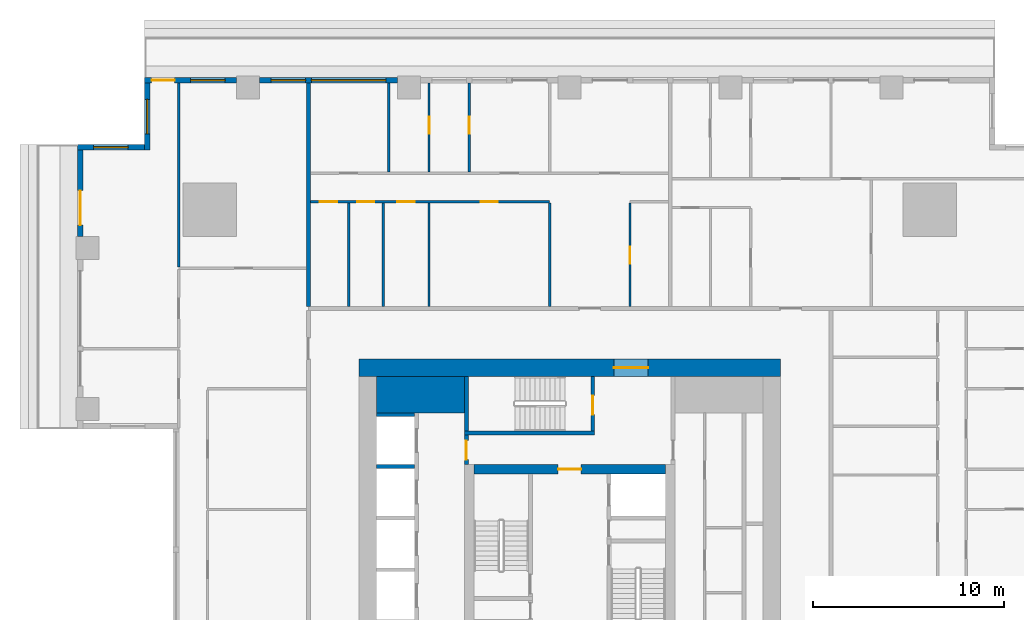
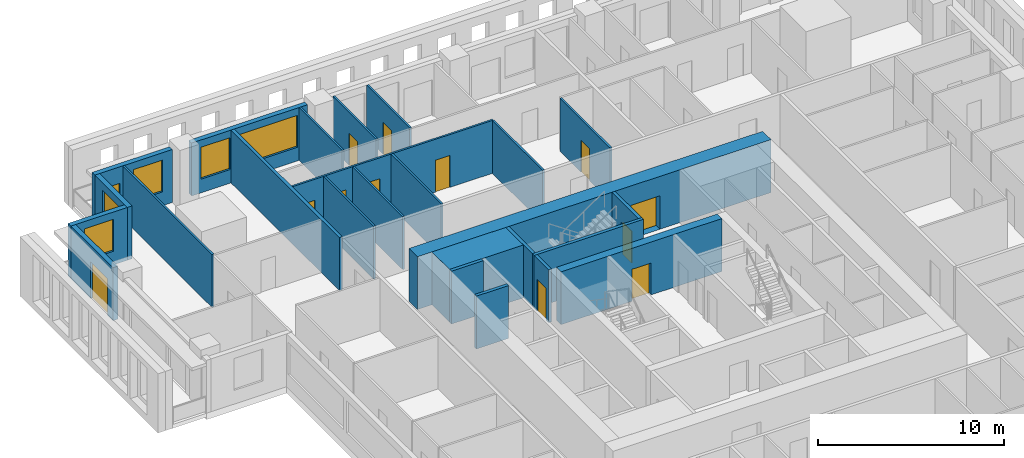
# One storey, part 7 of 15: 25 walls, 13 doors, 5 windows, 18 openings.
"""IFC4 building model written with IfcOpenShell, lengths in metres."""

from ifc_helpers import new_model, si_unit, direction, frame, frame_2d, origin, place, context, subcontext, project, spatial, rectangle, extrude, material, layer, layer_set, type_object, element, fill, save


model = new_model("IFC4")

# Units and contexts
model_context = context("Model", 3, precision=1e-05, world=origin(), true_north=direction((0.0, 1.0)))
body_context = subcontext(model_context, "Body", "Model", "MODEL_VIEW")
ifc_project = project(units=[si_unit("LENGTHUNIT", "METRE"), si_unit("AREAUNIT", "SQUARE_METRE"), si_unit("VOLUMEUNIT", "CUBIC_METRE"), si_unit("PLANEANGLEUNIT", "RADIAN"), si_unit("MASSUNIT", "GRAM", prefix="KILO")], contexts=[model_context])

# Site, building, storey
site_placement = place(None, origin())
site = spatial("IfcSite", under=ifc_project, at=site_placement, CompositionType="ELEMENT")
building_placement = place(site_placement, origin())
building = spatial("IfcBuilding", under=site, at=building_placement, Name="Khepri Terraces", CompositionType="ELEMENT")
storey_placement = place(building_placement, frame((0.0, 0.0, 98.699951171875)))
storey = spatial("IfcBuildingStorey", under=building, at=storey_placement, Name="L23", CompositionType="ELEMENT", Elevation=98.699951171875)

# Walls
ifc_material_1 = material(Name="Concrete C70/85", Category="concrete")
ifc_layer_1 = layer(ifc_material_1, 1.89990234375, Name="Concrete C70/85", Category="concrete")
ifc_layer_set_1 = layer_set([ifc_layer_1], Name="Concrete C70/85")
wall_type_1 = type_object("IfcWallType", Name="Core wall 1900 C70/85", PredefinedType="SHEAR", material=ifc_layer_set_1)
wall_1_placement = place(storey_placement, frame((-10.10009765625, 9.14990234375, 0.0), z_axis=(0.0, 0.0, 1.0), x_axis=(1.0, 0.0, 0.0)))
element("IfcWall", 1, at=wall_1_placement, inside=storey, type_object=wall_type_1, Name="Core wall PR03 L23", PredefinedType="SHEAR", context=body_context, shape_type="SweptSolid", body=[
    extrude(rectangle(XDim=4.60009765625, YDim=1.89990234375, at=frame_2d((2.300048828125, 0.0))), origin(), (0.0, 0.0, 1.0), 3.47998046875),
])
ifc_layer_2 = layer(ifc_material_1, 0.199951171875, Name="Concrete C70/85", Category="concrete")
ifc_layer_set_2 = layer_set([ifc_layer_2], Name="Concrete C70/85")
wall_type_2 = type_object("IfcWallType", Name="Core wall 200 C70/85", PredefinedType="SHEAR", material=ifc_layer_set_2)
wall_2_placement = place(storey_placement, frame((-5.5, 7.14990234375, 0.0), z_axis=(0.0, 0.0, 1.0), x_axis=(1.0, 0.0, 0.0)))
element("IfcWall", 2, at=wall_2_placement, inside=storey, type_object=wall_type_2, Name="Core wall ST05 L23", PredefinedType="SHEAR", context=body_context, shape_type="SweptSolid", body=[
    extrude(rectangle(XDim=6.800048828125, YDim=0.199951171875, at=frame_2d((3.39990234375, 0.0))), origin(), (0.0, 0.0, 1.0), 3.47998046875),
])
wall_3_placement = place(storey_placement, frame((-5.39990234375, 7.25, 0.0), z_axis=(0.0, 0.0, 1.0), x_axis=(0.0, 1.0, 0.0)))
element("IfcWall", 3, at=wall_3_placement, inside=storey, type_object=wall_type_2, Name="Core wall ST06 L23", PredefinedType="SHEAR", context=body_context, shape_type="SweptSolid", body=[
    extrude(rectangle(XDim=2.85009765625, YDim=0.199951171875, at=frame_2d((1.425048828125, 0.0))), origin(), (0.0, 0.0, 1.0), 3.47998046875),
])

# Wall, opening, door
wall_4_placement = place(storey_placement, frame((1.199951171875, 7.25, 0.0), z_axis=(0.0, 0.0, 1.0), x_axis=(0.0, 1.0, 0.0)))
wall_4 = element("IfcWall", 4, at=wall_4_placement, inside=storey, type_object=wall_type_2, Name="Core wall ST07 L23", PredefinedType="SHEAR", context=body_context, shape_type="SweptSolid", body=[
    extrude(rectangle(XDim=2.85009765625, YDim=0.199951171875, at=frame_2d((1.425048828125, 0.0))), origin(), (0.0, 0.0, 1.0), 3.47998046875),
])
opening_1_placement = place(wall_4_placement, frame((0.85009765625, 0.0, 0.0)))
opening_1 = element("IfcOpeningElement", 5, at=opening_1_placement, cuts=wall_4, Name="Opening L23-C15", PredefinedType="OPENING", context=body_context, shape_type="SweptSolid", body=[
    extrude(rectangle(XDim=1.0, YDim=2.10009765625, at=frame_2d((0.5, 1.050048828125))), frame((0.0, 0.10986328125, 0.0), z_axis=(0.0, -1.0, 0.0), x_axis=(1.0, 0.0, 0.0)), (0.0, 0.0, 1.0), 0.219970703125),
])
ifc_material_2 = material(Name="Painted steel", Category="steel")
door_type_1 = type_object("IfcDoorType", Name="DR-CORE-STAIR-1000", OperationType="NOTDEFINED", PredefinedType="DOOR", material=ifc_material_2)
door_1_placement = place(opening_1_placement, origin())
door_1 = element("IfcDoor", 6, at=door_1_placement, inside=storey, type_object=door_type_1, Name="Stair door L23-C15", OperationType="SINGLE_SWING_LEFT", OverallHeight=2.10009765625, OverallWidth=1.0, PredefinedType="DOOR", context=body_context, shape_type="SweptSolid", body=[
    extrude(rectangle(XDim=1.0, YDim=2.10009765625, at=frame_2d((0.5, 1.050048828125))), frame((0.0, 0.02490234375, 0.0), z_axis=(0.0, -1.0, 0.0), x_axis=(1.0, 0.0, 0.0)), (0.0, 0.0, 1.0), 0.050048828125),
])
fill(opening_1, door_1)

# Walls
for number, where, z_axis, x_axis, name in (
    (7, (-10.10009765625, 5.39990234375, 0.0), (0.0, 0.0, 1.0), (1.0, 0.0, 0.0), "Core wall SH19 L23"),
    (8, (-10.10009765625, 8.10009765625, 0.0), (0.0, 0.0, 1.0), (1.0, 0.0, 0.0), "Core wall SH20 L23"),
):
    element("IfcWall", number, at=place(storey_placement, frame(where, z_axis=z_axis, x_axis=x_axis)), inside=storey, type_object=wall_type_2, Name=name, PredefinedType="SHEAR", context=body_context, shape_type="SweptSolid", body=[
        extrude(rectangle(XDim=2.0, YDim=0.199951171875, at=frame_2d((1.0, 0.0))), origin(), (0.0, 0.0, 1.0), 3.47998046875),
    ])

# Wall, opening, door
ifc_layer_3 = layer(ifc_material_1, 0.5, Name="Concrete C70/85", Category="concrete")
ifc_layer_set_3 = layer_set([ifc_layer_3], Name="Concrete C70/85")
wall_type_3 = type_object("IfcWallType", Name="Core wall 500 C70/85", PredefinedType="SHEAR", material=ifc_layer_set_3)
wall_5_placement = place(storey_placement, frame((-5.0, 5.25, 0.0), z_axis=(0.0, 0.0, 1.0), x_axis=(1.0, 0.0, 0.0)))
wall_5 = element("IfcWall", 9, at=wall_5_placement, inside=storey, type_object=wall_type_3, Name="Core wall BX04 L23", PredefinedType="SHEAR", context=body_context, shape_type="SweptSolid", body=[
    extrude(rectangle(XDim=10.0, YDim=0.5, at=frame_2d((5.0, 0.0))), origin(), (0.0, 0.0, 1.0), 3.47998046875),
])
opening_2_placement = place(wall_5_placement, frame((4.39990234375, 0.0, 0.0)))
opening_2 = element("IfcOpeningElement", 10, at=opening_2_placement, cuts=wall_5, Name="Opening L23-C13", PredefinedType="OPENING", context=body_context, shape_type="SweptSolid", body=[
    extrude(rectangle(XDim=1.199951171875, YDim=2.10009765625, at=frame_2d((0.60009765625, 1.050048828125))), frame((0.0, 0.260009765625, 0.0), z_axis=(0.0, -1.0, 0.0), x_axis=(1.0, 0.0, 0.0)), (0.0, 0.0, 1.0), 0.52001953125),
])
door_type_2 = type_object("IfcDoorType", Name="DR-CORE-FF-LOBBY-1200", OperationType="NOTDEFINED", PredefinedType="DOOR", material=ifc_material_2)
door_2_placement = place(opening_2_placement, frame((1.199951171875, 0.0, 0.0), z_axis=(0.0, 0.0, 1.0), x_axis=(-1.0, 0.0, 0.0)))
door_2 = element("IfcDoor", 11, at=door_2_placement, inside=storey, type_object=door_type_2, Name="Firefighting lobby door L23-C13", OperationType="SINGLE_SWING_LEFT", OverallHeight=2.10009765625, OverallWidth=1.199951171875, PredefinedType="DOOR", context=body_context, shape_type="SweptSolid", body=[
    extrude(rectangle(XDim=1.199951171875, YDim=2.10009765625, at=frame_2d((0.60009765625, 1.050048828125))), frame((0.0, 0.02490234375, 0.0), z_axis=(0.0, -1.0, 0.0), x_axis=(1.0, 0.0, 0.0)), (0.0, 0.0, 1.0), 0.050048828125),
])
fill(opening_2, door_2)

ifc_layer_4 = layer(ifc_material_1, 0.89990234375, Name="Concrete C70/85", Category="concrete")
ifc_layer_set_4 = layer_set([ifc_layer_4], Name="Concrete C70/85")
wall_type_4 = type_object("IfcWallType", Name="Core wall 900 C70/85", PredefinedType="SHEAR", material=ifc_layer_set_4)
wall_6_placement = place(storey_placement, frame((-11.0, 10.550048828125, 0.0), z_axis=(0.0, 0.0, 1.0), x_axis=(1.0, 0.0, 0.0)))
wall_6 = element("IfcWall", 12, at=wall_6_placement, inside=storey, type_object=wall_type_4, Name="Core wall OW-N L23", PredefinedType="SHEAR", context=body_context, shape_type="SweptSolid", body=[
    extrude(rectangle(XDim=22.0, YDim=0.89990234375, at=frame_2d((11.0, 0.0))), origin(), (0.0, 0.0, 1.0), 3.47998046875),
])
opening_3_placement = place(wall_6_placement, frame((13.300048828125, 0.0, 0.0)))
opening_3 = element("IfcOpeningElement", 13, at=opening_3_placement, cuts=wall_6, Name="Opening L23-C20", PredefinedType="OPENING", context=body_context, shape_type="SweptSolid", body=[
    extrude(rectangle(XDim=1.800048828125, YDim=2.199951171875, at=frame_2d((0.89990234375, 1.10009765625))), frame((0.0, 0.4599609375, 0.0), z_axis=(0.0, -1.0, 0.0), x_axis=(1.0, 0.0, 0.0)), (0.0, 0.0, 1.0), 0.919921875),
])
door_type_3 = type_object("IfcDoorType", Name="DR-CORE-ENTRANCE-1800", OperationType="NOTDEFINED", PredefinedType="DOOR", material=ifc_material_2)
door_3_placement = place(opening_3_placement, origin())
door_3 = element("IfcDoor", 14, at=door_3_placement, inside=storey, type_object=door_type_3, Name="Core entrance door pair L23-C20", OperationType="DOUBLE_DOOR_SINGLE_SWING", OverallHeight=2.199951171875, OverallWidth=1.800048828125, PredefinedType="DOOR", context=body_context, shape_type="SweptSolid", body=[
    extrude(rectangle(XDim=1.800048828125, YDim=2.199951171875, at=frame_2d((0.89990234375, 1.10009765625))), frame((0.0, 0.02490234375, 0.0), z_axis=(0.0, -1.0, 0.0), x_axis=(1.0, 0.0, 0.0)), (0.0, 0.0, 1.0), 0.050048828125),
])
fill(opening_3, door_3)

ifc_material_3 = material(Name="Fire-rated gypsum board partition")
ifc_layer_5 = layer(ifc_material_3, 0.199951171875, Name="Fire-rated gypsum board partition")
ifc_layer_set_5 = layer_set([ifc_layer_5], Name="Fire-rated gypsum board partition")
wall_type_5 = type_object("IfcWallType", Name="WL-CORE-PART-200", PredefinedType="PARTITIONING", material=ifc_layer_set_5)
wall_7_placement = place(storey_placement, frame((-5.39990234375, 5.5, 0.0), z_axis=(0.0, 0.0, 1.0), x_axis=(0.0, 1.0, 0.0)))
wall_7 = element("IfcWall", 15, at=wall_7_placement, inside=storey, type_object=wall_type_5, Name="Core partition PT07 L23", PredefinedType="PARTITIONING", context=body_context, shape_type="SweptSolid", body=[
    extrude(rectangle(XDim=1.550048828125, YDim=0.199951171875, at=frame_2d((0.77490234375, 0.0))), origin(), (0.0, 0.0, 1.0), 3.47998046875),
])
opening_4_placement = place(wall_7_placement, frame((0.25, 0.0, 0.0)))
opening_4 = element("IfcOpeningElement", 16, at=opening_4_placement, cuts=wall_7, Name="Opening L23-C16", PredefinedType="OPENING", context=body_context, shape_type="SweptSolid", body=[
    extrude(rectangle(XDim=1.0, YDim=2.10009765625, at=frame_2d((0.5, 1.050048828125))), frame((0.0, 0.10986328125, 0.0), z_axis=(0.0, -1.0, 0.0), x_axis=(1.0, 0.0, 0.0)), (0.0, 0.0, 1.0), 0.219970703125),
])
door_type_4 = type_object("IfcDoorType", Name="DR-CORE-LOBBY-1000", OperationType="NOTDEFINED", PredefinedType="DOOR", material=ifc_material_2)
door_4_placement = place(opening_4_placement, frame((1.0, 0.0, 0.0), z_axis=(0.0, 0.0, 1.0), x_axis=(-1.0, 0.0, 0.0)))
door_4 = element("IfcDoor", 17, at=door_4_placement, inside=storey, type_object=door_type_4, Name="Lobby door L23-C16", OperationType="SINGLE_SWING_RIGHT", OverallHeight=2.10009765625, OverallWidth=1.0, PredefinedType="DOOR", context=body_context, shape_type="SweptSolid", body=[
    extrude(rectangle(XDim=1.0, YDim=2.10009765625, at=frame_2d((0.5, 1.050048828125))), frame((0.0, 0.02490234375, 0.0), z_axis=(0.0, -1.0, 0.0), x_axis=(1.0, 0.0, 0.0)), (0.0, 0.0, 1.0), 0.050048828125),
])
fill(opening_4, door_4)

# Wall
ifc_material_4 = material(Name="Fire-rated gypsum plasterboard partition, mineral wool")
ifc_layer_6 = layer(ifc_material_4, 0.199951171875, Name="Fire-rated gypsum plasterboard partition, mineral wool")
ifc_layer_set_6 = layer_set([ifc_layer_6], Name="Fire-rated gypsum plasterboard partition, mineral wool")
wall_type_6 = type_object("IfcWallType", Name="WL-CORR-200", PredefinedType="PARTITIONING", material=ifc_layer_set_6)
wall_8_placement = place(storey_placement, frame((-13.64990234375, 13.75, 0.0), z_axis=(0.0, 0.0, 1.0), x_axis=(0.0, 1.0, 0.0)))
element("IfcWall", 18, at=wall_8_placement, inside=storey, type_object=wall_type_6, Name="Partition P-082 L23", PredefinedType="PARTITIONING", context=body_context, shape_type="SweptSolid", body=[
    extrude(rectangle(XDim=11.669921875, YDim=0.199951171875, at=frame_2d((5.8349609375, 0.0))), origin(), (0.0, 0.0, 1.0), 3.47998046875),
])

# Wall, openings, windows
ifc_material_5 = material(Name="Precast concrete C50/60 warm stone", Category="masonry")
ifc_layer_7 = layer(ifc_material_5, 0.300048828125, Name="Precast concrete C50/60 warm stone", Category="masonry")
ifc_layer_set_7 = layer_set([ifc_layer_7], Name="Precast concrete C50/60 warm stone")
wall_type_7 = type_object("IfcWallType", Name="WL-EXT-PRECAST-300", PredefinedType="STANDARD", material=ifc_layer_set_7)
wall_9_placement = place(storey_placement, frame((-9.0, 25.570068359375, 0.0), z_axis=(0.0, 0.0, 1.0), x_axis=(-1.0, 0.0, 0.0)))
wall_9 = element("IfcWall", 19, at=wall_9_placement, inside=storey, type_object=wall_type_7, Name="External wall L23 N", PredefinedType="STANDARD", context=body_context, shape_type="SweptSolid", body=[
    extrude(rectangle(XDim=7.199951171875, YDim=0.300048828125, at=frame_2d((3.60009765625, 0.0))), origin(), (0.0, 0.0, 1.0), 3.47998046875),
])
opening_5_placement = place(wall_9_placement, frame((0.60009765625, 0.0, 0.89990234375)))
opening_5 = element("IfcOpeningElement", 20, at=opening_5_placement, cuts=wall_9, Name="Opening W2", PredefinedType="OPENING", context=body_context, shape_type="SweptSolid", body=[
    extrude(rectangle(XDim=3.89990234375, YDim=2.10009765625, at=frame_2d((1.949951171875, 1.050048828125))), frame((0.0, 0.16015625, 0.0), z_axis=(0.0, -1.0, 0.0), x_axis=(1.0, 0.0, 0.0)), (0.0, 0.0, 1.0), 0.320068359375),
])
opening_6_placement = place(wall_9_placement, frame((4.800048828125, 0.0, 0.89990234375)))
opening_6 = element("IfcOpeningElement", 21, at=opening_6_placement, cuts=wall_9, Name="Opening W1", PredefinedType="OPENING", context=body_context, shape_type="SweptSolid", body=[
    extrude(rectangle(XDim=1.800048828125, YDim=2.10009765625, at=frame_2d((0.89990234375, 1.050048828125))), frame((0.0, 0.16015625, 0.0), z_axis=(0.0, -1.0, 0.0), x_axis=(1.0, 0.0, 0.0)), (0.0, 0.0, 1.0), 0.320068359375),
])
ifc_material_6 = material(Name="Clear glass", Category="glass")
window_type_1 = type_object("IfcWindowType", Name="WIN-RES-1800x2100", PartitioningType="SINGLE_PANEL", PredefinedType="WINDOW", material=ifc_material_6)
window_1_placement = place(opening_6_placement, origin())
window_1 = element("IfcWindow", 22, at=window_1_placement, inside=storey, type_object=window_type_1, Name="Window L23 N", OverallHeight=2.10009765625, OverallWidth=1.800048828125, PartitioningType="SINGLE_PANEL", PredefinedType="WINDOW", context=body_context, shape_type="SweptSolid", body=[
    extrude(rectangle(XDim=1.800048828125, YDim=2.10009765625, at=frame_2d((0.89990234375, 1.050048828125))), frame((0.0, 0.030029296875, 0.0), z_axis=(0.0, -1.0, 0.0), x_axis=(1.0, 0.0, 0.0)), (0.0, 0.0, 1.0), 0.06005859375),
])
fill(opening_6, window_1)
window_type_2 = type_object("IfcWindowType", Name="WIN-RES-3900x2100", PartitioningType="SINGLE_PANEL", PredefinedType="WINDOW", material=ifc_material_6)
window_2_placement = place(opening_5_placement, origin())
window_2 = element("IfcWindow", 23, at=window_2_placement, inside=storey, type_object=window_type_2, Name="Window L23 N", OverallHeight=2.10009765625, OverallWidth=3.89990234375, PartitioningType="SINGLE_PANEL", PredefinedType="WINDOW", context=body_context, shape_type="SweptSolid", body=[
    extrude(rectangle(XDim=3.89990234375, YDim=2.10009765625, at=frame_2d((1.949951171875, 1.050048828125))), frame((0.0, 0.030029296875, 0.0), z_axis=(0.0, -1.0, 0.0), x_axis=(1.0, 0.0, 0.0)), (0.0, 0.0, 1.0), 0.06005859375),
])
fill(opening_5, window_2)

# Wall, openings, door, window
wall_10_placement = place(storey_placement, frame((-17.39990234375, 25.570068359375, 0.0), z_axis=(0.0, 0.0, 1.0), x_axis=(-1.0, 0.0, 0.0)))
wall_10 = element("IfcWall", 24, at=wall_10_placement, inside=storey, type_object=wall_type_7, Name="External wall L23 N", PredefinedType="STANDARD", context=body_context, shape_type="SweptSolid", body=[
    extrude(rectangle(XDim=4.820068359375, YDim=0.300048828125, at=frame_2d((2.41015625, 0.0))), origin(), (0.0, 0.0, 1.0), 3.47998046875),
])
opening_7_placement = place(wall_10_placement, frame((0.60009765625, 0.0, 0.89990234375)))
opening_7 = element("IfcOpeningElement", 25, at=opening_7_placement, cuts=wall_10, Name="Opening W1", PredefinedType="OPENING", context=body_context, shape_type="SweptSolid", body=[
    extrude(rectangle(XDim=1.800048828125, YDim=2.10009765625, at=frame_2d((0.89990234375, 1.050048828125))), frame((0.0, 0.16015625, 0.0), z_axis=(0.0, -1.0, 0.0), x_axis=(1.0, 0.0, 0.0)), (0.0, 0.0, 1.0), 0.320068359375),
])
opening_8_placement = place(wall_10_placement, frame((3.2451171875, 0.0, 0.0)))
opening_8 = element("IfcOpeningElement", 26, at=opening_8_placement, cuts=wall_10, Name="Opening ED-L23-12", PredefinedType="OPENING", context=body_context, shape_type="SweptSolid", body=[
    extrude(rectangle(XDim=1.199951171875, YDim=2.39990234375, at=frame_2d((0.60009765625, 1.199951171875))), frame((0.0, 0.16015625, 0.0), z_axis=(0.0, -1.0, 0.0), x_axis=(1.0, 0.0, 0.0)), (0.0, 0.0, 1.0), 0.320068359375),
])
ifc_material_7 = material(Name="Anodised aluminium bronze glazed door", Category="aluminium")
door_type_5 = type_object("IfcDoorType", Name="DR-BAL-SLIDE-1200x2400", OperationType="NOTDEFINED", PredefinedType="DOOR", material=ifc_material_7)
door_5_placement = place(opening_8_placement, origin())
door_5 = element("IfcDoor", 27, at=door_5_placement, inside=storey, type_object=door_type_5, Name="Balcony door L23 N", OperationType="SLIDING_TO_RIGHT", OverallHeight=2.39990234375, OverallWidth=1.199951171875, PredefinedType="DOOR", context=body_context, shape_type="SweptSolid", body=[
    extrude(rectangle(XDim=1.199951171875, YDim=2.39990234375, at=frame_2d((0.60009765625, 1.199951171875))), frame((0.0, 0.02490234375, 0.0), z_axis=(0.0, -1.0, 0.0), x_axis=(1.0, 0.0, 0.0)), (0.0, 0.0, 1.0), 0.050048828125),
])
fill(opening_8, door_5)
window_3_placement = place(opening_7_placement, origin())
window_3 = element("IfcWindow", 28, at=window_3_placement, inside=storey, type_object=window_type_1, Name="Window L23 N", OverallHeight=2.10009765625, OverallWidth=1.800048828125, PartitioningType="SINGLE_PANEL", PredefinedType="WINDOW", context=body_context, shape_type="SweptSolid", body=[
    extrude(rectangle(XDim=1.800048828125, YDim=2.10009765625, at=frame_2d((0.89990234375, 1.050048828125))), frame((0.0, 0.030029296875, 0.0), z_axis=(0.0, -1.0, 0.0), x_axis=(1.0, 0.0, 0.0)), (0.0, 0.0, 1.0), 0.06005859375),
])
fill(opening_7, window_3)

# Wall, opening, window
wall_11_placement = place(storey_placement, frame((-22.070068359375, 25.419921875, 0.0), z_axis=(0.0, 0.0, 1.0), x_axis=(0.0, -1.0, 0.0)))
wall_11 = element("IfcWall", 29, at=wall_11_placement, inside=storey, type_object=wall_type_7, Name="External wall L23 W", PredefinedType="STANDARD", context=body_context, shape_type="SweptSolid", body=[
    extrude(rectangle(XDim=3.5, YDim=0.300048828125, at=frame_2d((1.75, 0.0))), origin(), (0.0, 0.0, 1.0), 3.47998046875),
])
opening_9_placement = place(wall_11_placement, frame((0.85009765625, 0.0, 0.89990234375)))
opening_9 = element("IfcOpeningElement", 30, at=opening_9_placement, cuts=wall_11, Name="Opening W1", PredefinedType="OPENING", context=body_context, shape_type="SweptSolid", body=[
    extrude(rectangle(XDim=1.800048828125, YDim=2.10009765625, at=frame_2d((0.89990234375, 1.050048828125))), frame((0.0, 0.16015625, 0.0), z_axis=(0.0, -1.0, 0.0), x_axis=(1.0, 0.0, 0.0)), (0.0, 0.0, 1.0), 0.320068359375),
])
window_4_placement = place(opening_9_placement, origin())
window_4 = element("IfcWindow", 31, at=window_4_placement, inside=storey, type_object=window_type_1, Name="Window L23 W", OverallHeight=2.10009765625, OverallWidth=1.800048828125, PartitioningType="SINGLE_PANEL", PredefinedType="WINDOW", context=body_context, shape_type="SweptSolid", body=[
    extrude(rectangle(XDim=1.800048828125, YDim=2.10009765625, at=frame_2d((0.89990234375, 1.050048828125))), frame((0.0, 0.030029296875, 0.0), z_axis=(0.0, -1.0, 0.0), x_axis=(1.0, 0.0, 0.0)), (0.0, 0.0, 1.0), 0.06005859375),
])
fill(opening_9, window_4)

wall_12_placement = place(storey_placement, frame((-22.219970703125, 22.070068359375, 0.0), z_axis=(0.0, 0.0, 1.0), x_axis=(-1.0, 0.0, 0.0)))
wall_12 = element("IfcWall", 32, at=wall_12_placement, inside=storey, type_object=wall_type_7, Name="External wall L23 N", PredefinedType="STANDARD", context=body_context, shape_type="SweptSolid", body=[
    extrude(rectangle(XDim=3.5, YDim=0.300048828125, at=frame_2d((1.75, 0.0))), origin(), (0.0, 0.0, 1.0), 3.47998046875),
])
opening_10_placement = place(wall_12_placement, frame((0.85009765625, 0.0, 0.89990234375)))
opening_10 = element("IfcOpeningElement", 33, at=opening_10_placement, cuts=wall_12, Name="Opening W1", PredefinedType="OPENING", context=body_context, shape_type="SweptSolid", body=[
    extrude(rectangle(XDim=1.800048828125, YDim=2.10009765625, at=frame_2d((0.89990234375, 1.050048828125))), frame((0.0, 0.16015625, 0.0), z_axis=(0.0, -1.0, 0.0), x_axis=(1.0, 0.0, 0.0)), (0.0, 0.0, 1.0), 0.320068359375),
])
window_5_placement = place(opening_10_placement, origin())
window_5 = element("IfcWindow", 34, at=window_5_placement, inside=storey, type_object=window_type_1, Name="Window L23 N", OverallHeight=2.10009765625, OverallWidth=1.800048828125, PartitioningType="SINGLE_PANEL", PredefinedType="WINDOW", context=body_context, shape_type="SweptSolid", body=[
    extrude(rectangle(XDim=1.800048828125, YDim=2.10009765625, at=frame_2d((0.89990234375, 1.050048828125))), frame((0.0, 0.030029296875, 0.0), z_axis=(0.0, -1.0, 0.0), x_axis=(1.0, 0.0, 0.0)), (0.0, 0.0, 1.0), 0.06005859375),
])
fill(opening_10, window_5)

# Wall, opening, door
wall_13_placement = place(storey_placement, frame((-25.570068359375, 21.919921875, 0.0), z_axis=(0.0, 0.0, 1.0), x_axis=(0.0, -1.0, 0.0)))
wall_13 = element("IfcWall", 35, at=wall_13_placement, inside=storey, type_object=wall_type_7, Name="External wall L23 W", PredefinedType="STANDARD", context=body_context, shape_type="SweptSolid", body=[
    extrude(rectangle(XDim=4.52001953125, YDim=0.300048828125, at=frame_2d((2.260009765625, 0.0))), origin(), (0.0, 0.0, 1.0), 3.47998046875),
])
opening_11_placement = place(wall_13_placement, frame((2.1201171875, 0.0, 0.0)))
opening_11 = element("IfcOpeningElement", 36, at=opening_11_placement, cuts=wall_13, Name="Opening ED-L23-13", PredefinedType="OPENING", context=body_context, shape_type="SweptSolid", body=[
    extrude(rectangle(XDim=1.800048828125, YDim=2.39990234375, at=frame_2d((0.89990234375, 1.199951171875))), frame((0.0, 0.16015625, 0.0), z_axis=(0.0, -1.0, 0.0), x_axis=(1.0, 0.0, 0.0)), (0.0, 0.0, 1.0), 0.320068359375),
])
door_type_6 = type_object("IfcDoorType", Name="DR-BAL-SLIDE-1800x2400", OperationType="NOTDEFINED", PredefinedType="DOOR", material=ifc_material_7)
door_6_placement = place(opening_11_placement, origin())
door_6 = element("IfcDoor", 37, at=door_6_placement, inside=storey, type_object=door_type_6, Name="Balcony door L23 W", OperationType="SLIDING_TO_RIGHT", OverallHeight=2.39990234375, OverallWidth=1.800048828125, PredefinedType="DOOR", context=body_context, shape_type="SweptSolid", body=[
    extrude(rectangle(XDim=1.800048828125, YDim=2.39990234375, at=frame_2d((0.89990234375, 1.199951171875))), frame((0.0, 0.02490234375, 0.0), z_axis=(0.0, -1.0, 0.0), x_axis=(1.0, 0.0, 0.0)), (0.0, 0.0, 1.0), 0.050048828125),
])
fill(opening_11, door_6)

# Walls
ifc_material_8 = material(Name="Gypsum plasterboard partition")
ifc_layer_8 = layer(ifc_material_8, 0.1201171875, Name="Gypsum plasterboard partition")
ifc_layer_set_8 = layer_set([ifc_layer_8], Name="Gypsum plasterboard partition")
wall_type_8 = type_object("IfcWallType", Name="WL-PART-120", PredefinedType="PARTITIONING", material=ifc_layer_set_8)
for number, where, z_axis, x_axis, name in (
    (38, (-11.550048828125, 13.75, 0.0), (0.0, 0.0, 1.0), (0.0, 1.0, 0.0), "Partition P-083 L23"),
    (39, (-9.75, 13.75, 0.0), (0.0, 0.0, 1.0), (0.0, 1.0, 0.0), "Partition P-084 L23"),
    (40, (-7.35009765625, 13.75, 0.0), (0.0, 0.0, 1.0), (0.0, 1.0, 0.0), "Partition P-085 L23"),
    (41, (-1.050048828125, 13.75, 0.0), (0.0, 0.0, 1.0), (0.0, 1.0, 0.0), "Partition P-086 L23"),
):
    element("IfcWall", number, at=place(storey_placement, frame(where, z_axis=z_axis, x_axis=x_axis)), inside=storey, type_object=wall_type_8, Name=name, PredefinedType="PARTITIONING", context=body_context, shape_type="SweptSolid", body=[
        extrude(rectangle(XDim=5.409912109375, YDim=0.1201171875, at=frame_2d((2.705078125, 0.0))), origin(), (0.0, 0.0, 1.0), 3.47998046875),
    ])

# Wall, opening, door
wall_14_placement = place(storey_placement, frame((3.14990234375, 13.75, 0.0), z_axis=(0.0, 0.0, 1.0), x_axis=(0.0, 1.0, 0.0)))
wall_14 = element("IfcWall", 42, at=wall_14_placement, inside=storey, type_object=wall_type_8, Name="Partition P-087 L23", PredefinedType="PARTITIONING", context=body_context, shape_type="SweptSolid", body=[
    extrude(rectangle(XDim=5.409912109375, YDim=0.1201171875, at=frame_2d((2.705078125, 0.0))), origin(), (0.0, 0.0, 1.0), 3.47998046875),
])
opening_12_placement = place(wall_14_placement, frame((2.235107421875, 0.0, 0.0)))
opening_12 = element("IfcOpeningElement", 43, at=opening_12_placement, cuts=wall_14, Name="Opening D4", PredefinedType="OPENING", context=body_context, shape_type="SweptSolid", body=[
    extrude(rectangle(XDim=0.89990234375, YDim=2.10009765625, at=frame_2d((0.449951171875, 1.050048828125))), frame((0.0, 0.070068359375, 0.0), z_axis=(0.0, -1.0, 0.0), x_axis=(1.0, 0.0, 0.0)), (0.0, 0.0, 1.0), 0.14013671875),
])
ifc_material_9 = material(Name="Timber door leaf, moisture resistant", Category="wood")
door_type_7 = type_object("IfcDoorType", Name="DR-WET-900", OperationType="NOTDEFINED", PredefinedType="DOOR", material=ifc_material_9)
door_7_placement = place(opening_12_placement, frame((0.89990234375, 0.0, 0.0), z_axis=(0.0, 0.0, 1.0), x_axis=(-1.0, 0.0, 0.0)))
door_7 = element("IfcDoor", 44, at=door_7_placement, inside=storey, type_object=door_type_7, Name="Door Guest Bathroom", OperationType="SINGLE_SWING_RIGHT", OverallHeight=2.10009765625, OverallWidth=0.89990234375, PredefinedType="DOOR", context=body_context, shape_type="SweptSolid", body=[
    extrude(rectangle(XDim=0.89990234375, YDim=2.10009765625, at=frame_2d((0.449951171875, 1.050048828125))), frame((0.0, 0.02490234375, 0.0), z_axis=(0.0, -1.0, 0.0), x_axis=(1.0, 0.0, 0.0)), (0.0, 0.0, 1.0), 0.050048828125),
])
fill(opening_12, door_7)

# Wall
wall_15_placement = place(storey_placement, frame((-20.419921875, 15.81005859375, 0.0), z_axis=(0.0, 0.0, 1.0), x_axis=(0.0, 1.0, 0.0)))
element("IfcWall", 45, at=wall_15_placement, inside=storey, type_object=wall_type_8, Name="Partition P-093 L23", PredefinedType="PARTITIONING", context=body_context, shape_type="SweptSolid", body=[
    extrude(rectangle(XDim=9.60986328125, YDim=0.1201171875, at=frame_2d((4.804931640625, 0.0))), origin(), (0.0, 0.0, 1.0), 3.47998046875),
])

# Wall, openings, doors
wall_16_placement = place(storey_placement, frame((-13.550048828125, 19.219970703125, 0.0), z_axis=(0.0, 0.0, 1.0), x_axis=(1.0, 0.0, 0.0)))
wall_16 = element("IfcWall", 46, at=wall_16_placement, inside=storey, type_object=wall_type_8, Name="Partition P-095 L23", PredefinedType="PARTITIONING", context=body_context, shape_type="SweptSolid", body=[
    extrude(rectangle(XDim=12.5, YDim=0.1201171875, at=frame_2d((6.25, 0.0))), origin(), (0.0, 0.0, 1.0), 3.47998046875),
])
opening_13_placement = place(wall_16_placement, frame((8.89990234375, 0.0, 0.0)))
opening_13 = element("IfcOpeningElement", 47, at=opening_13_placement, cuts=wall_16, Name="Opening D3", PredefinedType="OPENING", context=body_context, shape_type="SweptSolid", body=[
    extrude(rectangle(XDim=0.89990234375, YDim=2.10009765625, at=frame_2d((0.449951171875, 1.050048828125))), frame((0.0, 0.070068359375, 0.0), z_axis=(0.0, -1.0, 0.0), x_axis=(1.0, 0.0, 0.0)), (0.0, 0.0, 1.0), 0.14013671875),
])
opening_14_placement = place(wall_16_placement, frame((4.550048828125, 0.0, 0.0)))
opening_14 = element("IfcOpeningElement", 48, at=opening_14_placement, cuts=wall_16, Name="Opening D3", PredefinedType="OPENING", context=body_context, shape_type="SweptSolid", body=[
    extrude(rectangle(XDim=0.89990234375, YDim=2.10009765625, at=frame_2d((0.449951171875, 1.050048828125))), frame((0.0, 0.070068359375, 0.0), z_axis=(0.0, -1.0, 0.0), x_axis=(1.0, 0.0, 0.0)), (0.0, 0.0, 1.0), 0.14013671875),
])
opening_15_placement = place(wall_16_placement, frame((2.449951171875, 0.0, 0.0)))
opening_15 = element("IfcOpeningElement", 49, at=opening_15_placement, cuts=wall_16, Name="Opening D4", PredefinedType="OPENING", context=body_context, shape_type="SweptSolid", body=[
    extrude(rectangle(XDim=0.89990234375, YDim=2.10009765625, at=frame_2d((0.449951171875, 1.050048828125))), frame((0.0, 0.070068359375, 0.0), z_axis=(0.0, -1.0, 0.0), x_axis=(1.0, 0.0, 0.0)), (0.0, 0.0, 1.0), 0.14013671875),
])
opening_16_placement = place(wall_16_placement, frame((0.5, 0.0, 0.0)))
opening_16 = element("IfcOpeningElement", 50, at=opening_16_placement, cuts=wall_16, Name="Opening D3", PredefinedType="OPENING", context=body_context, shape_type="SweptSolid", body=[
    extrude(rectangle(XDim=0.89990234375, YDim=2.10009765625, at=frame_2d((0.449951171875, 1.050048828125))), frame((0.0, 0.070068359375, 0.0), z_axis=(0.0, -1.0, 0.0), x_axis=(1.0, 0.0, 0.0)), (0.0, 0.0, 1.0), 0.14013671875),
])
ifc_material_10 = material(Name="Timber door leaf", Category="wood")
door_type_8 = type_object("IfcDoorType", Name="DR-INT-900", OperationType="NOTDEFINED", PredefinedType="DOOR", material=ifc_material_10)
door_8_placement = place(opening_13_placement, frame((0.89990234375, 0.0, 0.0), z_axis=(0.0, 0.0, 1.0), x_axis=(-1.0, 0.0, 0.0)))
door_8 = element("IfcDoor", 51, at=door_8_placement, inside=storey, type_object=door_type_8, Name="Door Kitchen", OperationType="SINGLE_SWING_LEFT", OverallHeight=2.10009765625, OverallWidth=0.89990234375, PredefinedType="DOOR", context=body_context, shape_type="SweptSolid", body=[
    extrude(rectangle(XDim=0.89990234375, YDim=2.10009765625, at=frame_2d((0.449951171875, 1.050048828125))), frame((0.0, 0.02490234375, 0.0), z_axis=(0.0, -1.0, 0.0), x_axis=(1.0, 0.0, 0.0)), (0.0, 0.0, 1.0), 0.050048828125),
])
fill(opening_13, door_8)
door_9_placement = place(opening_14_placement, frame((0.89990234375, 0.0, 0.0), z_axis=(0.0, 0.0, 1.0), x_axis=(-1.0, 0.0, 0.0)))
door_9 = element("IfcDoor", 52, at=door_9_placement, inside=storey, type_object=door_type_8, Name="Door Service Store", OperationType="SINGLE_SWING_RIGHT", OverallHeight=2.10009765625, OverallWidth=0.89990234375, PredefinedType="DOOR", context=body_context, shape_type="SweptSolid", body=[
    extrude(rectangle(XDim=0.89990234375, YDim=2.10009765625, at=frame_2d((0.449951171875, 1.050048828125))), frame((0.0, 0.02490234375, 0.0), z_axis=(0.0, -1.0, 0.0), x_axis=(1.0, 0.0, 0.0)), (0.0, 0.0, 1.0), 0.050048828125),
])
fill(opening_14, door_9)
door_10_placement = place(opening_16_placement, frame((0.89990234375, 0.0, 0.0), z_axis=(0.0, 0.0, 1.0), x_axis=(-1.0, 0.0, 0.0)))
door_10 = element("IfcDoor", 53, at=door_10_placement, inside=storey, type_object=door_type_8, Name="Door Utility Room", OperationType="SINGLE_SWING_RIGHT", OverallHeight=2.10009765625, OverallWidth=0.89990234375, PredefinedType="DOOR", context=body_context, shape_type="SweptSolid", body=[
    extrude(rectangle(XDim=0.89990234375, YDim=2.10009765625, at=frame_2d((0.449951171875, 1.050048828125))), frame((0.0, 0.02490234375, 0.0), z_axis=(0.0, -1.0, 0.0), x_axis=(1.0, 0.0, 0.0)), (0.0, 0.0, 1.0), 0.050048828125),
])
fill(opening_16, door_10)
door_11_placement = place(opening_15_placement, frame((0.89990234375, 0.0, 0.0), z_axis=(0.0, 0.0, 1.0), x_axis=(-1.0, 0.0, 0.0)))
door_11 = element("IfcDoor", 54, at=door_11_placement, inside=storey, type_object=door_type_7, Name="Door Powder Room", OperationType="SINGLE_SWING_RIGHT", OverallHeight=2.10009765625, OverallWidth=0.89990234375, PredefinedType="DOOR", context=body_context, shape_type="SweptSolid", body=[
    extrude(rectangle(XDim=0.89990234375, YDim=2.10009765625, at=frame_2d((0.449951171875, 1.050048828125))), frame((0.0, 0.02490234375, 0.0), z_axis=(0.0, -1.0, 0.0), x_axis=(1.0, 0.0, 0.0)), (0.0, 0.0, 1.0), 0.050048828125),
])
fill(opening_15, door_11)

# Wall
wall_17_placement = place(storey_placement, frame((-9.449951171875, 20.780029296875, 0.0), z_axis=(0.0, 0.0, 1.0), x_axis=(0.0, 1.0, 0.0)))
element("IfcWall", 55, at=wall_17_placement, inside=storey, type_object=wall_type_8, Name="Partition P-102 L23", PredefinedType="PARTITIONING", context=body_context, shape_type="SweptSolid", body=[
    extrude(rectangle(XDim=4.639892578125, YDim=0.1201171875, at=frame_2d((2.31982421875, 0.0))), origin(), (0.0, 0.0, 1.0), 3.47998046875),
])

# Wall, opening, door
wall_18_placement = place(storey_placement, frame((-7.35009765625, 20.780029296875, 0.0), z_axis=(0.0, 0.0, 1.0), x_axis=(0.0, 1.0, 0.0)))
wall_18 = element("IfcWall", 56, at=wall_18_placement, inside=storey, type_object=wall_type_8, Name="Partition P-103 L23", PredefinedType="PARTITIONING", context=body_context, shape_type="SweptSolid", body=[
    extrude(rectangle(XDim=4.639892578125, YDim=0.1201171875, at=frame_2d((2.31982421875, 0.0))), origin(), (0.0, 0.0, 1.0), 3.47998046875),
])
opening_17_placement = place(wall_18_placement, frame((1.989990234375, 0.0, 0.0)))
opening_17 = element("IfcOpeningElement", 57, at=opening_17_placement, cuts=wall_18, Name="Opening D4", PredefinedType="OPENING", context=body_context, shape_type="SweptSolid", body=[
    extrude(rectangle(XDim=0.89990234375, YDim=2.10009765625, at=frame_2d((0.449951171875, 1.050048828125))), frame((0.0, 0.070068359375, 0.0), z_axis=(0.0, -1.0, 0.0), x_axis=(1.0, 0.0, 0.0)), (0.0, 0.0, 1.0), 0.14013671875),
])
door_12_placement = place(opening_17_placement, origin())
door_12 = element("IfcDoor", 58, at=door_12_placement, inside=storey, type_object=door_type_7, Name="Door Bathroom", OperationType="SINGLE_SWING_RIGHT", OverallHeight=2.10009765625, OverallWidth=0.89990234375, PredefinedType="DOOR", context=body_context, shape_type="SweptSolid", body=[
    extrude(rectangle(XDim=0.89990234375, YDim=2.10009765625, at=frame_2d((0.449951171875, 1.050048828125))), frame((0.0, 0.02490234375, 0.0), z_axis=(0.0, -1.0, 0.0), x_axis=(1.0, 0.0, 0.0)), (0.0, 0.0, 1.0), 0.050048828125),
])
fill(opening_17, door_12)

wall_19_placement = place(storey_placement, frame((-5.25, 20.780029296875, 0.0), z_axis=(0.0, 0.0, 1.0), x_axis=(0.0, 1.0, 0.0)))
wall_19 = element("IfcWall", 59, at=wall_19_placement, inside=storey, type_object=wall_type_8, Name="Partition P-104 L23", PredefinedType="PARTITIONING", context=body_context, shape_type="SweptSolid", body=[
    extrude(rectangle(XDim=4.639892578125, YDim=0.1201171875, at=frame_2d((2.31982421875, 0.0))), origin(), (0.0, 0.0, 1.0), 3.47998046875),
])
opening_18_placement = place(wall_19_placement, frame((1.989990234375, 0.0, 0.0)))
opening_18 = element("IfcOpeningElement", 60, at=opening_18_placement, cuts=wall_19, Name="Opening D3", PredefinedType="OPENING", context=body_context, shape_type="SweptSolid", body=[
    extrude(rectangle(XDim=0.89990234375, YDim=2.10009765625, at=frame_2d((0.449951171875, 1.050048828125))), frame((0.0, 0.070068359375, 0.0), z_axis=(0.0, -1.0, 0.0), x_axis=(1.0, 0.0, 0.0)), (0.0, 0.0, 1.0), 0.14013671875),
])
door_13_placement = place(opening_18_placement, origin())
door_13 = element("IfcDoor", 61, at=door_13_placement, inside=storey, type_object=door_type_8, Name="Door Dressing Room", OperationType="SINGLE_SWING_RIGHT", OverallHeight=2.10009765625, OverallWidth=0.89990234375, PredefinedType="DOOR", context=body_context, shape_type="SweptSolid", body=[
    extrude(rectangle(XDim=0.89990234375, YDim=2.10009765625, at=frame_2d((0.449951171875, 1.050048828125))), frame((0.0, 0.02490234375, 0.0), z_axis=(0.0, -1.0, 0.0), x_axis=(1.0, 0.0, 0.0)), (0.0, 0.0, 1.0), 0.050048828125),
])
fill(opening_18, door_13)

save(model, "model.ifc")
